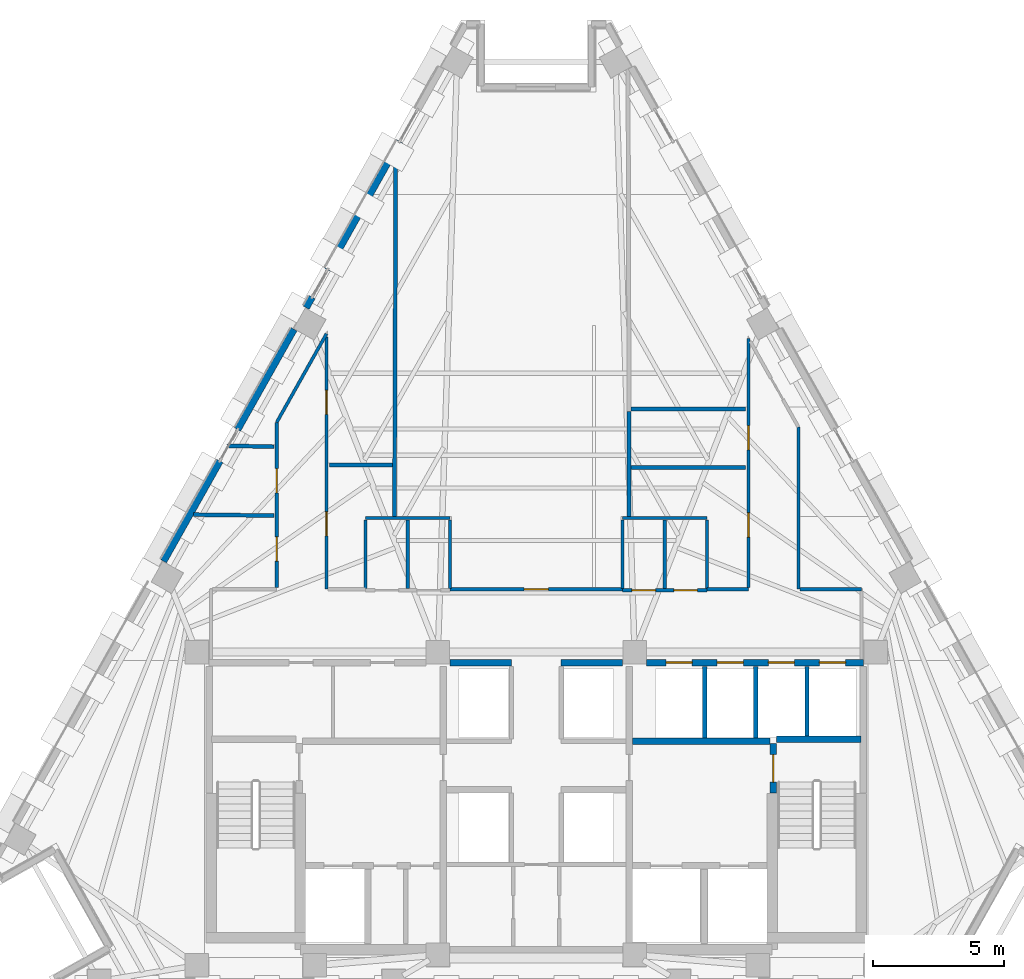
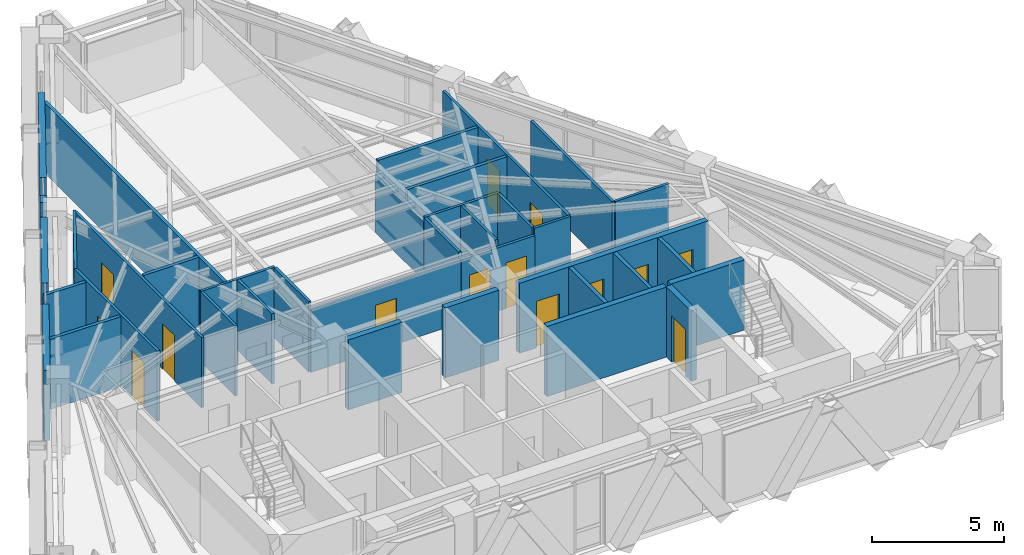
# One storey, part 8 of 12: 37 walls, 14 doors, 14 openings.
"""IFC4 building model written with IfcOpenShell, lengths in metres."""

from ifc_helpers import new_model, si_unit, direction, frame, frame_2d, origin, place, context, subcontext, project, spatial, rectangle, extrude, material, layer, layer_set, type_object, element, fill, save


model = new_model("IFC4")

# Units and contexts
model_context = context("Model", 3, precision=1e-05, world=origin(), true_north=direction((0.0, 1.0)))
body_context = subcontext(model_context, "Body", "Model", "MODEL_VIEW")
ifc_project = project(units=[si_unit("LENGTHUNIT", "METRE"), si_unit("AREAUNIT", "SQUARE_METRE"), si_unit("VOLUMEUNIT", "CUBIC_METRE"), si_unit("PLANEANGLEUNIT", "RADIAN"), si_unit("MASSUNIT", "GRAM", prefix="KILO")], contexts=[model_context])

# Site, building, storey
site_placement = place(None, origin())
site = spatial("IfcSite", under=ifc_project, at=site_placement, CompositionType="ELEMENT")
building_placement = place(site_placement, origin())
building = spatial("IfcBuilding", under=site, at=building_placement, Name="Quenlor Broadcast Tower", CompositionType="ELEMENT")
storey_placement = place(building_placement, frame((0.0, 0.0, 186.89990234375)))
storey = spatial("IfcBuildingStorey", under=building, at=storey_placement, Name="L51", CompositionType="ELEMENT", Elevation=186.89990234375)

# Walls
ifc_material_1 = material(Name="Acoustic Double Stud Gypsum Partition", Category="other")
ifc_layer_1 = layer(ifc_material_1, 0.14990234375)
ifc_layer_set_1 = layer_set([ifc_layer_1], Name="Broadcast Studio Acoustic Partition 150")
wall_type_1 = type_object("IfcWallType", Name="Broadcast Studio Acoustic Partition 150", PredefinedType="PARTITIONING", material=ifc_layer_set_1)
wall_1_placement = place(storey_placement, frame((7.989990234375, 4.47314453125, 0.0), z_axis=(0.0, 0.0, 1.0), x_axis=(-1.0, 0.0, 0.0)))
element("IfcWall", 1, at=wall_1_placement, inside=storey, type_object=wall_type_1, Name="L51 Interior Wall PW-DV-02", PredefinedType="PARTITIONING", context=body_context, shape_type="SweptSolid", body=[
    extrude(rectangle(XDim=4.373046875, YDim=0.14990234375, at=frame_2d((2.1865234375, 0.0))), origin(), (0.0, 0.0, 1.0), 3.25),
])
wall_2_placement = place(storey_placement, frame((-5.406494140625, 0.3720703125, 0.0), z_axis=(0.0, 0.0, 1.0), x_axis=(0.003333314815, 0.999994444491, 0.0)))
element("IfcWall", 2, at=wall_2_placement, inside=storey, type_object=wall_type_1, Name="L51 Interior Wall PW-DV-03", PredefinedType="PARTITIONING", context=body_context, shape_type="SweptSolid", body=[
    extrude(rectangle(XDim=13.76953125, YDim=0.14990234375, at=frame_2d((6.884765625, 0.0))), origin(), (0.0, 0.0, 1.0), 3.25),
])
wall_3_placement = place(storey_placement, frame((3.5400390625, 4.37109375, 0.0), z_axis=(0.0, 0.0, 1.0), x_axis=(0.0, -1.0, 0.0)))
element("IfcWall", 3, at=wall_3_placement, inside=storey, type_object=wall_type_1, Name="L51 Interior Wall PW-DV-04", PredefinedType="PARTITIONING", context=body_context, shape_type="SweptSolid", body=[
    extrude(rectangle(XDim=3.9990234375, YDim=0.14990234375, at=frame_2d((1.99951171875, 0.0))), origin(), (0.0, 0.0, 1.0), 2.721923828125),
])
wall_4_placement = place(storey_placement, frame((-10.010009765625, 3.033447265625, 0.0), z_axis=(0.0, 0.0, 1.0), x_axis=(-0.999765394805, 0.021659994246, 0.0)))
element("IfcWall", 4, at=wall_4_placement, inside=storey, type_object=wall_type_1, Name="L51 Interior Wall PW-DV-07", PredefinedType="PARTITIONING", context=body_context, shape_type="SweptSolid", body=[
    extrude(rectangle(XDim=1.792236328125, YDim=0.14990234375, at=frame_2d((0.89599609375, 0.0))), origin(), (0.0, 0.0, 1.0), 3.25),
])
wall_5_placement = place(storey_placement, frame((-5.47705078125, 2.330810546875, 0.0), z_axis=(0.0, 0.0, 1.0), x_axis=(-1.0, 0.0, 0.0)))
element("IfcWall", 5, at=wall_5_placement, inside=storey, type_object=wall_type_1, Name="L51 Interior Wall PW-DV-08", PredefinedType="PARTITIONING", context=body_context, shape_type="SweptSolid", body=[
    extrude(rectangle(XDim=2.412841796875, YDim=0.14990234375, at=frame_2d((1.20654296875, 0.0))), origin(), (0.0, 0.0, 1.0), 3.25),
])
wall_6_placement = place(storey_placement, frame((7.989990234375, 2.241943359375, 0.0), z_axis=(0.0, 0.0, 1.0), x_axis=(-1.0, 0.0, 0.0)))
element("IfcWall", 6, at=wall_6_placement, inside=storey, type_object=wall_type_1, Name="L51 Interior Wall PW-DV-09", PredefinedType="PARTITIONING", context=body_context, shape_type="SweptSolid", body=[
    extrude(rectangle(XDim=4.373046875, YDim=0.14990234375, at=frame_2d((2.1865234375, 0.0))), origin(), (0.0, 0.0, 1.0), 3.25),
])
wall_7_placement = place(storey_placement, frame((-10.010009765625, 0.406494140625, 0.0), z_axis=(0.0, 0.0, 1.0), x_axis=(-0.999927242797, 0.0120627158, 0.0)))
element("IfcWall", 7, at=wall_7_placement, inside=storey, type_object=wall_type_1, Name="L51 Interior Wall PW-DV-10", PredefinedType="PARTITIONING", context=body_context, shape_type="SweptSolid", body=[
    extrude(rectangle(XDim=3.05615234375, YDim=0.14990234375, at=frame_2d((1.528076171875, 0.0))), origin(), (0.0, 0.0, 1.0), 3.25),
])

# Wall, opening, door
ifc_material_2 = material(Name="Concrete C40/50", Category="concrete")
ifc_layer_2 = layer(ifc_material_2, 0.25)
ifc_layer_set_2 = layer_set([ifc_layer_2], Name="Fire Rated Concrete C40/50 Core Wall 250")
wall_type_2 = type_object("IfcWallType", Name="Fire Rated Concrete C40/50 Core Wall 250", PredefinedType="PARTITIONING", material=ifc_layer_set_2)
wall_8_placement = place(storey_placement, frame((9.0400390625, -10.179931640625, 0.0), z_axis=(0.0, 0.0, 1.0), x_axis=(0.0, 1.0, 0.0)))
wall_8 = element("IfcWall", 8, at=wall_8_placement, inside=storey, type_object=wall_type_2, Name="L51 Interior Wall CW-ST2-DR", PredefinedType="PARTITIONING", context=body_context, shape_type="SweptSolid", body=[
    extrude(rectangle(XDim=1.89990234375, YDim=0.25, at=frame_2d((0.949951171875, 0.0))), origin(), (0.0, 0.0, 1.0), 3.25),
])
opening_1_placement = place(wall_8_placement, frame((0.419921875, 0.0, 0.0)))
opening_1 = element("IfcOpeningElement", 9, at=opening_1_placement, cuts=wall_8, Name="Opening FD-1", PredefinedType="OPENING", context=body_context, shape_type="SweptSolid", body=[
    extrude(rectangle(XDim=1.050048828125, YDim=2.14990234375, at=frame_2d((0.52490234375, 1.074951171875))), frame((0.0, 0.135009765625, 0.0), z_axis=(0.0, -1.0, 0.0), x_axis=(1.0, 0.0, 0.0)), (0.0, 0.0, 1.0), 0.27001953125),
])
ifc_material_3 = material(Name="Fire Rated Steel Door Leaf", Category="steel")
door_type_1 = type_object("IfcDoorType", Name="Fire Isolated Stair Door 1050x2150", OperationType="NOTDEFINED", PredefinedType="DOOR", material=ifc_material_3)
door_1_placement = place(opening_1_placement, origin())
door_1 = element("IfcDoor", 10, at=door_1_placement, inside=storey, type_object=door_type_1, Name="L51 Door DR-ST2", OperationType="SINGLE_SWING_RIGHT", OverallHeight=2.14990234375, OverallWidth=1.050048828125, PredefinedType="DOOR", context=body_context, shape_type="SweptSolid", body=[
    extrude(rectangle(XDim=1.050048828125, YDim=2.14990234375, at=frame_2d((0.52490234375, 1.074951171875))), frame((0.0, 0.02490234375, 0.0), z_axis=(0.0, -1.0, 0.0), x_axis=(1.0, 0.0, 0.0)), (0.0, 0.0, 1.0), 0.050048828125),
])
fill(opening_1, door_1)

# Walls
wall_9_placement = place(storey_placement, frame((9.159912109375, -8.1201171875, 0.0), z_axis=(0.0, 0.0, 1.0), x_axis=(1.0, 0.0, 0.0)))
element("IfcWall", 11, at=wall_9_placement, inside=storey, type_object=wall_type_2, Name="L51 Interior Wall CW-ST2-N", PredefinedType="PARTITIONING", context=body_context, shape_type="SweptSolid", body=[
    extrude(rectangle(XDim=3.219970703125, YDim=0.25, at=frame_2d((1.60986328125, 0.0))), origin(), (0.0, 0.0, 1.0), 3.25),
])
wall_10_placement = place(storey_placement, frame((3.679931640625, -8.199951171875, 0.0), z_axis=(0.0, 0.0, 1.0), x_axis=(1.0, 0.0, 0.0)))
element("IfcWall", 12, at=wall_10_placement, inside=storey, type_object=wall_type_2, Name="L51 Interior Wall CW-FFE-N", PredefinedType="PARTITIONING", context=body_context, shape_type="SweptSolid", body=[
    extrude(rectangle(XDim=5.239990234375, YDim=0.25, at=frame_2d((2.6201171875, 0.0))), origin(), (0.0, 0.0, 1.0), 3.25),
])

# Wall, openings, doors
wall_11_placement = place(storey_placement, frame((4.201904296875, -5.199951171875, 0.0), z_axis=(0.0, 0.0, 1.0), x_axis=(1.0, 0.0, 0.0)))
wall_11 = element("IfcWall", 13, at=wall_11_placement, inside=storey, type_object=wall_type_2, Name="L51 Interior Wall CW-N-E", PredefinedType="PARTITIONING", context=body_context, shape_type="SweptSolid", body=[
    extrude(rectangle(XDim=8.278076171875, YDim=0.25, at=frame_2d((4.13916015625, 0.0))), origin(), (0.0, 0.0, 1.0), 3.25),
])
opening_2_placement = place(wall_11_placement, frame((0.748046875, 0.0, 0.0)))
opening_2 = element("IfcOpeningElement", 14, at=opening_2_placement, cuts=wall_11, Name="Opening LD-PL-H1", PredefinedType="OPENING", context=body_context, shape_type="SweptSolid", body=[
    extrude(rectangle(XDim=1.0, YDim=2.14990234375, at=frame_2d((0.5, 1.074951171875))), frame((0.0, 0.135009765625, 0.0), z_axis=(0.0, -1.0, 0.0), x_axis=(1.0, 0.0, 0.0)), (0.0, 0.0, 1.0), 0.27001953125),
])
opening_3_placement = place(wall_11_placement, frame((2.697998046875, 0.0, 0.0)))
opening_3 = element("IfcOpeningElement", 15, at=opening_3_placement, cuts=wall_11, Name="Opening LD-PL-H2", PredefinedType="OPENING", context=body_context, shape_type="SweptSolid", body=[
    extrude(rectangle(XDim=1.0, YDim=2.14990234375, at=frame_2d((0.5, 1.074951171875))), frame((0.0, 0.135009765625, 0.0), z_axis=(0.0, -1.0, 0.0), x_axis=(1.0, 0.0, 0.0)), (0.0, 0.0, 1.0), 0.27001953125),
])
opening_4_placement = place(wall_11_placement, frame((4.64794921875, 0.0, 0.0)))
opening_4 = element("IfcOpeningElement", 16, at=opening_4_placement, cuts=wall_11, Name="Opening LD-PL-H3", PredefinedType="OPENING", context=body_context, shape_type="SweptSolid", body=[
    extrude(rectangle(XDim=1.0, YDim=2.14990234375, at=frame_2d((0.5, 1.074951171875))), frame((0.0, 0.135009765625, 0.0), z_axis=(0.0, -1.0, 0.0), x_axis=(1.0, 0.0, 0.0)), (0.0, 0.0, 1.0), 0.27001953125),
])
opening_5_placement = place(wall_11_placement, frame((6.597900390625, 0.0, 0.0)))
opening_5 = element("IfcOpeningElement", 17, at=opening_5_placement, cuts=wall_11, Name="Opening LD-PL-H4", PredefinedType="OPENING", context=body_context, shape_type="SweptSolid", body=[
    extrude(rectangle(XDim=1.0, YDim=2.14990234375, at=frame_2d((0.5, 1.074951171875))), frame((0.0, 0.135009765625, 0.0), z_axis=(0.0, -1.0, 0.0), x_axis=(1.0, 0.0, 0.0)), (0.0, 0.0, 1.0), 0.27001953125),
])
ifc_material_4 = material(Name="Brushed Stainless Steel", Category="steel")
door_type_2 = type_object("IfcDoorType", Name="Passenger Lift Sliding Landing Door 1000x2150", OperationType="NOTDEFINED", PredefinedType="DOOR", material=ifc_material_4)
door_2_placement = place(opening_2_placement, origin())
door_2 = element("IfcDoor", 18, at=door_2_placement, inside=storey, type_object=door_type_2, Name="L51 Door LD-PL-H1", OperationType="SLIDING_TO_RIGHT", OverallHeight=2.14990234375, OverallWidth=1.0, PredefinedType="DOOR", context=body_context, shape_type="SweptSolid", body=[
    extrude(rectangle(XDim=1.0, YDim=2.14990234375, at=frame_2d((0.5, 1.074951171875))), frame((0.0, 0.02490234375, 0.0), z_axis=(0.0, -1.0, 0.0), x_axis=(1.0, 0.0, 0.0)), (0.0, 0.0, 1.0), 0.050048828125),
])
fill(opening_2, door_2)
door_3_placement = place(opening_3_placement, origin())
door_3 = element("IfcDoor", 19, at=door_3_placement, inside=storey, type_object=door_type_2, Name="L51 Door LD-PL-H2", OperationType="SLIDING_TO_RIGHT", OverallHeight=2.14990234375, OverallWidth=1.0, PredefinedType="DOOR", context=body_context, shape_type="SweptSolid", body=[
    extrude(rectangle(XDim=1.0, YDim=2.14990234375, at=frame_2d((0.5, 1.074951171875))), frame((0.0, 0.02490234375, 0.0), z_axis=(0.0, -1.0, 0.0), x_axis=(1.0, 0.0, 0.0)), (0.0, 0.0, 1.0), 0.050048828125),
])
fill(opening_3, door_3)
door_4_placement = place(opening_4_placement, origin())
door_4 = element("IfcDoor", 20, at=door_4_placement, inside=storey, type_object=door_type_2, Name="L51 Door LD-PL-H3", OperationType="SLIDING_TO_RIGHT", OverallHeight=2.14990234375, OverallWidth=1.0, PredefinedType="DOOR", context=body_context, shape_type="SweptSolid", body=[
    extrude(rectangle(XDim=1.0, YDim=2.14990234375, at=frame_2d((0.5, 1.074951171875))), frame((0.0, 0.02490234375, 0.0), z_axis=(0.0, -1.0, 0.0), x_axis=(1.0, 0.0, 0.0)), (0.0, 0.0, 1.0), 0.050048828125),
])
fill(opening_4, door_4)
door_5_placement = place(opening_5_placement, origin())
door_5 = element("IfcDoor", 21, at=door_5_placement, inside=storey, type_object=door_type_2, Name="L51 Door LD-PL-H4", OperationType="SLIDING_TO_RIGHT", OverallHeight=2.14990234375, OverallWidth=1.0, PredefinedType="DOOR", context=body_context, shape_type="SweptSolid", body=[
    extrude(rectangle(XDim=1.0, YDim=2.14990234375, at=frame_2d((0.5, 1.074951171875))), frame((0.0, 0.02490234375, 0.0), z_axis=(0.0, -1.0, 0.0), x_axis=(1.0, 0.0, 0.0)), (0.0, 0.0, 1.0), 0.050048828125),
])
fill(opening_5, door_5)

# Walls
for number, where, z_axis, x_axis, name in (
    (22, (-3.298095703125, -5.199951171875, 0.0), (0.0, 0.0, 1.0), (1.0, 0.0, 0.0), "L51 Interior Wall CW-N-M1"),
    (23, (0.949951171875, -5.199951171875, 0.0), (0.0, 0.0, 1.0), (1.0, 0.0, 0.0), "L51 Interior Wall CW-N-M2"),
):
    element("IfcWall", number, at=place(storey_placement, frame(where, z_axis=z_axis, x_axis=x_axis)), inside=storey, type_object=wall_type_2, Name=name, PredefinedType="PARTITIONING", context=body_context, shape_type="SweptSolid", body=[
        extrude(rectangle(XDim=2.34814453125, YDim=0.25, at=frame_2d((1.174072265625, 0.0))), origin(), (0.0, 0.0, 1.0), 3.25),
    ])
ifc_material_5 = material(Name="Gypsum Fireboard Partition", Category="other")
ifc_layer_3 = layer(ifc_material_5, 0.159912109375)
ifc_layer_set_3 = layer_set([ifc_layer_3], Name="Fire Rated Shaft and Corridor Partition 160")
wall_type_3 = type_object("IfcWallType", Name="Fire Rated Shaft and Corridor Partition 160", PredefinedType="PARTITIONING", material=ifc_layer_set_3)
for number, where, z_axis, x_axis, name in (
    (24, (6.425048828125, -8.072998046875, 0.0), (0.0, 0.0, 1.0), (0.0, 1.0, 0.0), "L51 Interior Wall CW-PLH-D1"),
    (25, (8.375, -8.072998046875, 0.0), (0.0, 0.0, 1.0), (0.0, 1.0, 0.0), "L51 Interior Wall CW-PLH-D2"),
):
    element("IfcWall", number, at=place(storey_placement, frame(where, z_axis=z_axis, x_axis=x_axis)), inside=storey, type_object=wall_type_3, Name=name, PredefinedType="PARTITIONING", context=body_context, shape_type="SweptSolid", body=[
        extrude(rectangle(XDim=2.73291015625, YDim=0.159912109375, at=frame_2d((1.366455078125, 0.0))), origin(), (0.0, 0.0, 1.0), 3.25),
    ])
wall_12_placement = place(storey_placement, frame((10.324951171875, -7.992919921875, 0.0), z_axis=(0.0, 0.0, 1.0), x_axis=(0.0, 1.0, 0.0)))
element("IfcWall", 26, at=wall_12_placement, inside=storey, type_object=wall_type_3, Name="L51 Interior Wall CW-PLH-D3", PredefinedType="PARTITIONING", context=body_context, shape_type="SweptSolid", body=[
    extrude(rectangle(XDim=2.65283203125, YDim=0.159912109375, at=frame_2d((1.326416015625, 0.0))), origin(), (0.0, 0.0, 1.0), 3.25),
])
ifc_material_6 = material(Name="Gypsum Plasterboard Partition", Category="other")
ifc_layer_4 = layer(ifc_material_6, 0.1201171875)
ifc_layer_set_4 = layer_set([ifc_layer_4], Name="Standard Office Partition 120")
wall_type_4 = type_object("IfcWallType", Name="Standard Office Partition 120", PredefinedType="PARTITIONING", material=ifc_layer_set_4)
wall_13_placement = place(storey_placement, frame((-6.510009765625, 0.31005859375, 0.0), z_axis=(0.0, 0.0, 1.0), x_axis=(1.0, 0.0, 0.0)))
element("IfcWall", 27, at=wall_13_placement, inside=storey, type_object=wall_type_4, Name="L51 Interior Wall PW-WCW-N", PredefinedType="PARTITIONING", context=body_context, shape_type="SweptSolid", body=[
    extrude(rectangle(XDim=3.219970703125, YDim=0.1201171875, at=frame_2d((1.60986328125, 0.0))), origin(), (0.0, 0.0, 1.0), 3.25),
])
for number, where, z_axis, x_axis, name in (
    (28, (-6.510009765625, -2.3779296875, 0.0), (0.0, 0.0, 1.0), (0.0, 1.0, 0.0), "L51 Interior Wall PW-WCW-W"),
    (29, (-4.89990234375, -2.3779296875, 0.0), (0.0, 0.0, 1.0), (0.0, 1.0, 0.0), "L51 Interior Wall PW-WCW-M"),
    (30, (-3.2900390625, -2.3779296875, 0.0), (0.0, 0.0, 1.0), (0.0, 1.0, 0.0), "L51 Interior Wall PW-WCW-E"),
):
    element("IfcWall", number, at=place(storey_placement, frame(where, z_axis=z_axis, x_axis=x_axis)), inside=storey, type_object=wall_type_4, Name=name, PredefinedType="PARTITIONING", context=body_context, shape_type="SweptSolid", body=[
        extrude(rectangle(XDim=2.6259765625, YDim=0.1201171875, at=frame_2d((1.31298828125, 0.0))), origin(), (0.0, 0.0, 1.0), 3.25),
    ])

# Wall, openings, doors
wall_14_placement = place(storey_placement, frame((3.2900390625, -2.43994140625, 0.0), z_axis=(0.0, 0.0, 1.0), x_axis=(1.0, 0.0, 0.0)))
wall_14 = element("IfcWall", 31, at=wall_14_placement, inside=storey, type_object=wall_type_4, Name="L51 Interior Wall PW-WCE-S", PredefinedType="PARTITIONING", context=body_context, shape_type="SweptSolid", body=[
    extrude(rectangle(XDim=3.219970703125, YDim=0.1201171875, at=frame_2d((1.60986328125, 0.0))), origin(), (0.0, 0.0, 1.0), 2.94287109375),
])
opening_6_placement = place(wall_14_placement, frame((0.360107421875, 0.0, 0.0)))
opening_6 = element("IfcOpeningElement", 32, at=opening_6_placement, cuts=wall_14, Name="Opening ID-3", PredefinedType="OPENING", context=body_context, shape_type="SweptSolid", body=[
    extrude(rectangle(XDim=0.89990234375, YDim=2.1201171875, at=frame_2d((0.449951171875, 1.06005859375))), frame((0.0, 0.070068359375, 0.0), z_axis=(0.0, -1.0, 0.0), x_axis=(1.0, 0.0, 0.0)), (0.0, 0.0, 1.0), 0.14013671875),
])
opening_7_placement = place(wall_14_placement, frame((1.9599609375, 0.0, 0.0)))
opening_7 = element("IfcOpeningElement", 33, at=opening_7_placement, cuts=wall_14, Name="Opening ID-3", PredefinedType="OPENING", context=body_context, shape_type="SweptSolid", body=[
    extrude(rectangle(XDim=0.89990234375, YDim=2.1201171875, at=frame_2d((0.449951171875, 1.06005859375))), frame((0.0, 0.070068359375, 0.0), z_axis=(0.0, -1.0, 0.0), x_axis=(1.0, 0.0, 0.0)), (0.0, 0.0, 1.0), 0.14013671875),
])
ifc_material_7 = material(Name="Moisture Resistant Timber Oak", Category="wood")
door_type_3 = type_object("IfcDoorType", Name="Washroom Privacy Door 900x2120", OperationType="NOTDEFINED", PredefinedType="DOOR", material=ifc_material_7)
door_6_placement = place(opening_6_placement, origin())
door_6 = element("IfcDoor", 34, at=door_6_placement, inside=storey, type_object=door_type_3, Name="L51 Door DR-MWC", OperationType="SINGLE_SWING_LEFT", OverallHeight=2.1201171875, OverallWidth=0.89990234375, PredefinedType="DOOR", context=body_context, shape_type="SweptSolid", body=[
    extrude(rectangle(XDim=0.89990234375, YDim=2.1201171875, at=frame_2d((0.449951171875, 1.06005859375))), frame((0.0, 0.02490234375, 0.0), z_axis=(0.0, -1.0, 0.0), x_axis=(1.0, 0.0, 0.0)), (0.0, 0.0, 1.0), 0.050048828125),
])
fill(opening_6, door_6)
door_7_placement = place(opening_7_placement, origin())
door_7 = element("IfcDoor", 35, at=door_7_placement, inside=storey, type_object=door_type_3, Name="L51 Door DR-FWC", OperationType="SINGLE_SWING_RIGHT", OverallHeight=2.1201171875, OverallWidth=0.89990234375, PredefinedType="DOOR", context=body_context, shape_type="SweptSolid", body=[
    extrude(rectangle(XDim=0.89990234375, YDim=2.1201171875, at=frame_2d((0.449951171875, 1.06005859375))), frame((0.0, 0.02490234375, 0.0), z_axis=(0.0, -1.0, 0.0), x_axis=(1.0, 0.0, 0.0)), (0.0, 0.0, 1.0), 0.050048828125),
])
fill(opening_7, door_7)

# Walls
wall_15_placement = place(storey_placement, frame((3.2900390625, 0.31005859375, 0.0), z_axis=(0.0, 0.0, 1.0), x_axis=(1.0, 0.0, 0.0)))
element("IfcWall", 36, at=wall_15_placement, inside=storey, type_object=wall_type_4, Name="L51 Interior Wall PW-WCE-N", PredefinedType="PARTITIONING", context=body_context, shape_type="SweptSolid", body=[
    extrude(rectangle(XDim=3.219970703125, YDim=0.1201171875, at=frame_2d((1.60986328125, 0.0))), origin(), (0.0, 0.0, 1.0), 3.25),
])
for number, where, z_axis, x_axis, name in (
    (37, (3.2900390625, -2.3779296875, 0.0), (0.0, 0.0, 1.0), (0.0, 1.0, 0.0), "L51 Interior Wall PW-WCE-W"),
    (38, (4.89990234375, -2.3779296875, 0.0), (0.0, 0.0, 1.0), (0.0, 1.0, 0.0), "L51 Interior Wall PW-WCE-M"),
    (39, (6.510009765625, -2.3779296875, 0.0), (0.0, 0.0, 1.0), (0.0, 1.0, 0.0), "L51 Interior Wall PW-WCE-E"),
):
    element("IfcWall", number, at=place(storey_placement, frame(where, z_axis=z_axis, x_axis=x_axis)), inside=storey, type_object=wall_type_4, Name=name, PredefinedType="PARTITIONING", context=body_context, shape_type="SweptSolid", body=[
        extrude(rectangle(XDim=2.6259765625, YDim=0.1201171875, at=frame_2d((1.31298828125, 0.0))), origin(), (0.0, 0.0, 1.0), 3.25),
    ])

# Wall, openings, doors
wall_16_placement = place(storey_placement, frame((-9.89990234375, -2.337890625, 0.0), z_axis=(0.0, 0.0, 1.0), x_axis=(0.0, 1.0, 0.0)))
wall_16 = element("IfcWall", 40, at=wall_16_placement, inside=storey, type_object=wall_type_4, Name="L51 Interior Wall PW-CR-03", PredefinedType="PARTITIONING", context=body_context, shape_type="SweptSolid", body=[
    extrude(rectangle(XDim=6.302734375, YDim=0.1201171875, at=frame_2d((3.1513671875, 0.0))), origin(), (0.0, 0.0, 1.0), 3.25),
])
opening_8_placement = place(wall_16_placement, frame((3.614990234375, 0.0, 0.0)))
opening_8 = element("IfcOpeningElement", 41, at=opening_8_placement, cuts=wall_16, Name="Opening ID-1", PredefinedType="OPENING", context=body_context, shape_type="SweptSolid", body=[
    extrude(rectangle(XDim=0.919921875, YDim=2.1201171875, at=frame_2d((0.4599609375, 1.06005859375))), frame((0.0, 0.070068359375, 0.0), z_axis=(0.0, -1.0, 0.0), x_axis=(1.0, 0.0, 0.0)), (0.0, 0.0, 1.0), 0.14013671875),
])
opening_9_placement = place(wall_16_placement, frame((1.010009765625, 0.0, 0.0)))
opening_9 = element("IfcOpeningElement", 42, at=opening_9_placement, cuts=wall_16, Name="Opening ID-1", PredefinedType="OPENING", context=body_context, shape_type="SweptSolid", body=[
    extrude(rectangle(XDim=0.919921875, YDim=2.1201171875, at=frame_2d((0.4599609375, 1.06005859375))), frame((0.0, 0.070068359375, 0.0), z_axis=(0.0, -1.0, 0.0), x_axis=(1.0, 0.0, 0.0)), (0.0, 0.0, 1.0), 0.14013671875),
])
ifc_material_8 = material(Name="Solid Core Timber Oak", Category="wood")
door_type_4 = type_object("IfcDoorType", Name="Single Leaf Timber Office Door 920x2120", OperationType="NOTDEFINED", PredefinedType="DOOR", material=ifc_material_8)
door_8_placement = place(opening_8_placement, origin())
door_8 = element("IfcDoor", 43, at=door_8_placement, inside=storey, type_object=door_type_4, Name="L51 Door DR-RM05", OperationType="SINGLE_SWING_LEFT", OverallHeight=2.1201171875, OverallWidth=0.919921875, PredefinedType="DOOR", context=body_context, shape_type="SweptSolid", body=[
    extrude(rectangle(XDim=0.919921875, YDim=2.1201171875, at=frame_2d((0.4599609375, 1.06005859375))), frame((0.0, 0.02490234375, 0.0), z_axis=(0.0, -1.0, 0.0), x_axis=(1.0, 0.0, 0.0)), (0.0, 0.0, 1.0), 0.050048828125),
])
fill(opening_8, door_8)
door_9_placement = place(opening_9_placement, origin())
door_9 = element("IfcDoor", 44, at=door_9_placement, inside=storey, type_object=door_type_4, Name="L51 Door DR-RM08", OperationType="SINGLE_SWING_RIGHT", OverallHeight=2.1201171875, OverallWidth=0.919921875, PredefinedType="DOOR", context=body_context, shape_type="SweptSolid", body=[
    extrude(rectangle(XDim=0.919921875, YDim=2.1201171875, at=frame_2d((0.4599609375, 1.06005859375))), frame((0.0, 0.02490234375, 0.0), z_axis=(0.0, -1.0, 0.0), x_axis=(1.0, 0.0, 0.0)), (0.0, 0.0, 1.0), 0.050048828125),
])
fill(opening_9, door_9)

# Wall
wall_17_placement = place(storey_placement, frame((-9.89892578125, 3.966796875, 0.0), z_axis=(0.0, 0.0, 1.0), x_axis=(0.490276203052, 0.871567120032, 0.0)))
element("IfcWall", 45, at=wall_17_placement, inside=storey, type_object=wall_type_4, Name="L51 Interior Wall PW-CR-04", PredefinedType="PARTITIONING", context=body_context, shape_type="SweptSolid", body=[
    extrude(rectangle(XDim=3.873291015625, YDim=0.1201171875, at=frame_2d((1.9365234375, 0.0))), origin(), (0.0, 0.0, 1.0), 3.25),
])

# Wall, openings, doors
wall_18_placement = place(storey_placement, frame((-8.0, 7.216064453125, 0.0), z_axis=(0.0, 0.0, 1.0), x_axis=(0.0, -1.0, 0.0)))
wall_18 = element("IfcWall", 46, at=wall_18_placement, inside=storey, type_object=wall_type_4, Name="L51 Interior Wall PW-CR-05", PredefinedType="PARTITIONING", context=body_context, shape_type="SweptSolid", body=[
    extrude(rectangle(XDim=9.615966796875, YDim=0.1201171875, at=frame_2d((4.80810546875, 0.0))), origin(), (0.0, 0.0, 1.0), 3.25),
])
opening_10_placement = place(wall_18_placement, frame((2.028076171875, 0.0, 0.0)))
opening_10 = element("IfcOpeningElement", 47, at=opening_10_placement, cuts=wall_18, Name="Opening ID-1", PredefinedType="OPENING", context=body_context, shape_type="SweptSolid", body=[
    extrude(rectangle(XDim=0.919921875, YDim=2.1201171875, at=frame_2d((0.4599609375, 1.06005859375))), frame((0.0, 0.070068359375, 0.0), z_axis=(0.0, -1.0, 0.0), x_axis=(1.0, 0.0, 0.0)), (0.0, 0.0, 1.0), 0.14013671875),
])
opening_11_placement = place(wall_18_placement, frame((6.662109375, 0.0, 0.0)))
opening_11 = element("IfcOpeningElement", 48, at=opening_11_placement, cuts=wall_18, Name="Opening ID-1", PredefinedType="OPENING", context=body_context, shape_type="SweptSolid", body=[
    extrude(rectangle(XDim=0.919921875, YDim=2.1201171875, at=frame_2d((0.4599609375, 1.06005859375))), frame((0.0, 0.070068359375, 0.0), z_axis=(0.0, -1.0, 0.0), x_axis=(1.0, 0.0, 0.0)), (0.0, 0.0, 1.0), 0.14013671875),
])
door_10_placement = place(opening_10_placement, origin())
door_10 = element("IfcDoor", 49, at=door_10_placement, inside=storey, type_object=door_type_4, Name="L51 Door DR-RM03", OperationType="SINGLE_SWING_LEFT", OverallHeight=2.1201171875, OverallWidth=0.919921875, PredefinedType="DOOR", context=body_context, shape_type="SweptSolid", body=[
    extrude(rectangle(XDim=0.919921875, YDim=2.1201171875, at=frame_2d((0.4599609375, 1.06005859375))), frame((0.0, 0.02490234375, 0.0), z_axis=(0.0, -1.0, 0.0), x_axis=(1.0, 0.0, 0.0)), (0.0, 0.0, 1.0), 0.050048828125),
])
fill(opening_10, door_10)
door_11_placement = place(opening_11_placement, origin())
door_11 = element("IfcDoor", 50, at=door_11_placement, inside=storey, type_object=door_type_4, Name="L51 Door DR-RM07", OperationType="SINGLE_SWING_LEFT", OverallHeight=2.1201171875, OverallWidth=0.919921875, PredefinedType="DOOR", context=body_context, shape_type="SweptSolid", body=[
    extrude(rectangle(XDim=0.919921875, YDim=2.1201171875, at=frame_2d((0.4599609375, 1.06005859375))), frame((0.0, 0.02490234375, 0.0), z_axis=(0.0, -1.0, 0.0), x_axis=(1.0, 0.0, 0.0)), (0.0, 0.0, 1.0), 0.050048828125),
])
fill(opening_11, door_11)

# Wall, opening, door
wall_19_placement = place(storey_placement, frame((-3.2880859375, -2.39990234375, 0.0), z_axis=(0.0, 0.0, 1.0), x_axis=(1.0, 0.0, 0.0)))
wall_19 = element("IfcWall", 51, at=wall_19_placement, inside=storey, type_object=wall_type_4, Name="L51 Interior Wall PW-CR-06S2", PredefinedType="PARTITIONING", context=body_context, shape_type="SweptSolid", body=[
    extrude(rectangle(XDim=6.576171875, YDim=0.1201171875, at=frame_2d((3.2880859375, 0.0))), origin(), (0.0, 0.0, 1.0), 2.94287109375),
])
opening_12_placement = place(wall_19_placement, frame((2.827880859375, 0.0, 0.0)))
opening_12 = element("IfcOpeningElement", 52, at=opening_12_placement, cuts=wall_19, Name="Opening ID-1", PredefinedType="OPENING", context=body_context, shape_type="SweptSolid", body=[
    extrude(rectangle(XDim=0.919921875, YDim=2.1201171875, at=frame_2d((0.4599609375, 1.06005859375))), frame((0.0, 0.070068359375, 0.0), z_axis=(0.0, -1.0, 0.0), x_axis=(1.0, 0.0, 0.0)), (0.0, 0.0, 1.0), 0.14013671875),
])
door_12_placement = place(opening_12_placement, origin())
door_12 = element("IfcDoor", 53, at=door_12_placement, inside=storey, type_object=door_type_4, Name="L51 Door DR-RM02", OperationType="SINGLE_SWING_RIGHT", OverallHeight=2.1201171875, OverallWidth=0.919921875, PredefinedType="DOOR", context=body_context, shape_type="SweptSolid", body=[
    extrude(rectangle(XDim=0.919921875, YDim=2.1201171875, at=frame_2d((0.4599609375, 1.06005859375))), frame((0.0, 0.02490234375, 0.0), z_axis=(0.0, -1.0, 0.0), x_axis=(1.0, 0.0, 0.0)), (0.0, 0.0, 1.0), 0.050048828125),
])
fill(opening_12, door_12)

# Wall
wall_20_placement = place(storey_placement, frame((6.511962890625, -2.39990234375, 0.0), z_axis=(0.0, 0.0, 1.0), x_axis=(1.0, 0.0, 0.0)))
element("IfcWall", 54, at=wall_20_placement, inside=storey, type_object=wall_type_4, Name="L51 Interior Wall PW-CR-06S3", PredefinedType="PARTITIONING", context=body_context, shape_type="SweptSolid", body=[
    extrude(rectangle(XDim=1.588134765625, YDim=0.1201171875, at=frame_2d((0.7939453125, 0.0))), origin(), (0.0, 0.0, 1.0), 3.25),
])

# Wall, openings, doors
wall_21_placement = place(storey_placement, frame((8.10009765625, -2.337890625, 0.0), z_axis=(0.0, 0.0, 1.0), x_axis=(0.0, 1.0, 0.0)))
wall_21 = element("IfcWall", 55, at=wall_21_placement, inside=storey, type_object=wall_type_4, Name="L51 Interior Wall PW-CR-07", PredefinedType="PARTITIONING", context=body_context, shape_type="SweptSolid", body=[
    extrude(rectangle(XDim=9.502685546875, YDim=0.1201171875, at=frame_2d((4.75146484375, 0.0))), origin(), (0.0, 0.0, 1.0), 3.25),
])
opening_13_placement = place(wall_21_placement, frame((5.256103515625, 0.0, 0.0)))
opening_13 = element("IfcOpeningElement", 56, at=opening_13_placement, cuts=wall_21, Name="Opening ID-1", PredefinedType="OPENING", context=body_context, shape_type="SweptSolid", body=[
    extrude(rectangle(XDim=0.919921875, YDim=2.1201171875, at=frame_2d((0.4599609375, 1.06005859375))), frame((0.0, 0.070068359375, 0.0), z_axis=(0.0, -1.0, 0.0), x_axis=(1.0, 0.0, 0.0)), (0.0, 0.0, 1.0), 0.14013671875),
])
opening_14_placement = place(wall_21_placement, frame((1.927978515625, 0.0, 0.0)))
opening_14 = element("IfcOpeningElement", 57, at=opening_14_placement, cuts=wall_21, Name="Opening ID-1", PredefinedType="OPENING", context=body_context, shape_type="SweptSolid", body=[
    extrude(rectangle(XDim=0.919921875, YDim=2.1201171875, at=frame_2d((0.4599609375, 1.06005859375))), frame((0.0, 0.070068359375, 0.0), z_axis=(0.0, -1.0, 0.0), x_axis=(1.0, 0.0, 0.0)), (0.0, 0.0, 1.0), 0.14013671875),
])
door_13_placement = place(opening_13_placement, origin())
door_13 = element("IfcDoor", 58, at=door_13_placement, inside=storey, type_object=door_type_4, Name="L51 Door DR-RM04", OperationType="SINGLE_SWING_RIGHT", OverallHeight=2.1201171875, OverallWidth=0.919921875, PredefinedType="DOOR", context=body_context, shape_type="SweptSolid", body=[
    extrude(rectangle(XDim=0.919921875, YDim=2.1201171875, at=frame_2d((0.4599609375, 1.06005859375))), frame((0.0, 0.02490234375, 0.0), z_axis=(0.0, -1.0, 0.0), x_axis=(1.0, 0.0, 0.0)), (0.0, 0.0, 1.0), 0.050048828125),
])
fill(opening_13, door_13)
door_14_placement = place(opening_14_placement, origin())
door_14 = element("IfcDoor", 59, at=door_14_placement, inside=storey, type_object=door_type_4, Name="L51 Door DR-RM06", OperationType="SINGLE_SWING_RIGHT", OverallHeight=2.1201171875, OverallWidth=0.919921875, PredefinedType="DOOR", context=body_context, shape_type="SweptSolid", body=[
    extrude(rectangle(XDim=0.919921875, YDim=2.1201171875, at=frame_2d((0.4599609375, 1.06005859375))), frame((0.0, 0.02490234375, 0.0), z_axis=(0.0, -1.0, 0.0), x_axis=(1.0, 0.0, 0.0)), (0.0, 0.0, 1.0), 0.050048828125),
])
fill(opening_14, door_14)

# Walls
wall_22_placement = place(storey_placement, frame((10.0, 3.78466796875, 0.0), z_axis=(0.0, 0.0, 1.0), x_axis=(0.0, -1.0, 0.0)))
element("IfcWall", 60, at=wall_22_placement, inside=storey, type_object=wall_type_4, Name="L51 Interior Wall PW-CR-09", PredefinedType="PARTITIONING", context=body_context, shape_type="SweptSolid", body=[
    extrude(rectangle(XDim=6.1845703125, YDim=0.1201171875, at=frame_2d((3.09228515625, 0.0))), origin(), (0.0, 0.0, 1.0), 3.25),
])
wall_23_placement = place(storey_placement, frame((10.06201171875, -2.39990234375, 0.0), z_axis=(0.0, 0.0, 1.0), x_axis=(1.0, 0.0, 0.0)))
element("IfcWall", 61, at=wall_23_placement, inside=storey, type_object=wall_type_4, Name="L51 Interior Wall PW-CR-10", PredefinedType="PARTITIONING", context=body_context, shape_type="SweptSolid", body=[
    extrude(rectangle(XDim=2.347900390625, YDim=0.1201171875, at=frame_2d((1.173828125, 0.0))), origin(), (0.0, 0.0, 1.0), 3.25),
])
ifc_material_9 = material(Name="Precast concrete C40/50", Category="concrete")
ifc_layer_5 = layer(ifc_material_9, 0.260009765625)
ifc_layer_set_5 = layer_set([ifc_layer_5], Name="Terracotta Precast Concrete C40/50 Upper Wall 260")
wall_type_5 = type_object("IfcWallType", Name="Terracotta Precast Concrete C40/50 Upper Wall 260", PredefinedType="STANDARD", material=ifc_layer_set_5)
wall_24_placement = place(storey_placement, frame((-8.777099609375, 8.33740234375, 0.0), z_axis=(0.0, 0.0, 1.0), x_axis=(0.490412424957, 0.871490478116, 0.0)))
element("IfcWall", 62, at=wall_24_placement, inside=storey, type_object=wall_type_5, Name="L51 Exterior Wall L51-NWC-SP1", PredefinedType="STANDARD", context=body_context, shape_type="SweptSolid", body=[
    extrude(rectangle(XDim=0.4599609375, YDim=0.260009765625, at=frame_2d((0.22998046875, 0.0))), origin(), (0.0, 0.0, 1.0), 3.25),
])
wall_25_placement = place(storey_placement, frame((-7.96240234375, 9.785400390625, 0.0), z_axis=(0.0, 0.0, 1.0), x_axis=(0.490240608828, 0.871587141631, 0.0)))
element("IfcWall", 63, at=wall_25_placement, inside=storey, type_object=wall_type_5, Name="L51 Exterior Wall L51-NWC-SP2", PredefinedType="STANDARD", context=body_context, shape_type="SweptSolid", body=[
    extrude(rectangle(XDim=5.618408203125, YDim=0.260009765625, at=frame_2d((2.80908203125, 0.0))), origin(), (0.0, 0.0, 1.0), 3.25),
])
wall_26_placement = place(storey_placement, frame((-14.21728515625, -1.334228515625, 0.0), z_axis=(0.0, 0.0, 1.0), x_axis=(0.490261239633, 0.871575537125, 0.0)))
element("IfcWall", 64, at=wall_26_placement, inside=storey, type_object=wall_type_5, Name="L51 Exterior Wall L51-NW-SP1", PredefinedType="STANDARD", context=body_context, shape_type="SweptSolid", body=[
    extrude(rectangle(XDim=4.3876953125, YDim=0.260009765625, at=frame_2d((2.19384765625, 0.0))), origin(), (0.0, 0.0, 1.0), 3.25),
])
wall_27_placement = place(storey_placement, frame((-11.3916015625, 3.689208984375, 0.0), z_axis=(0.0, 0.0, 1.0), x_axis=(0.490237464814, 0.871588910033, 0.0)))
element("IfcWall", 65, at=wall_27_placement, inside=storey, type_object=wall_type_5, Name="L51 Exterior Wall L51-NW-SP2", PredefinedType="STANDARD", context=body_context, shape_type="SweptSolid", body=[
    extrude(rectangle(XDim=4.387939453125, YDim=0.260009765625, at=frame_2d((2.19384765625, 0.0))), origin(), (0.0, 0.0, 1.0), 3.25),
])

save(model, "model.ifc")
